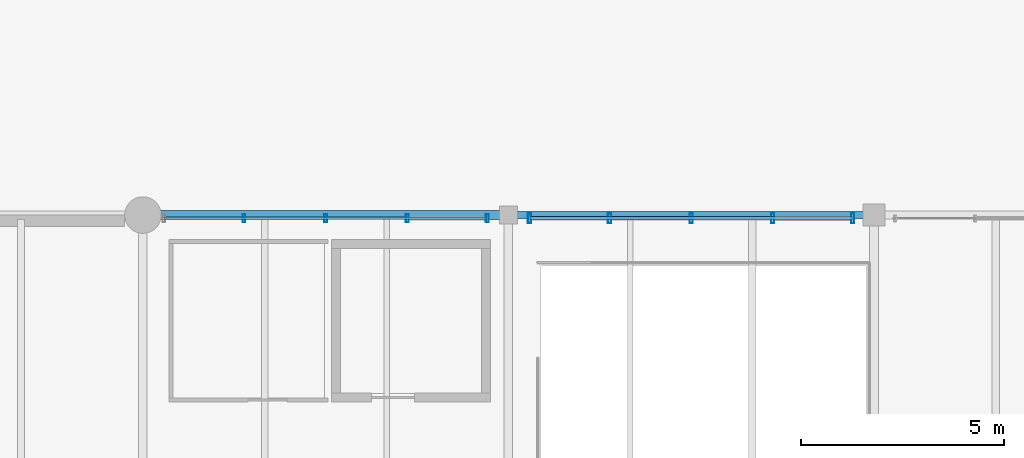
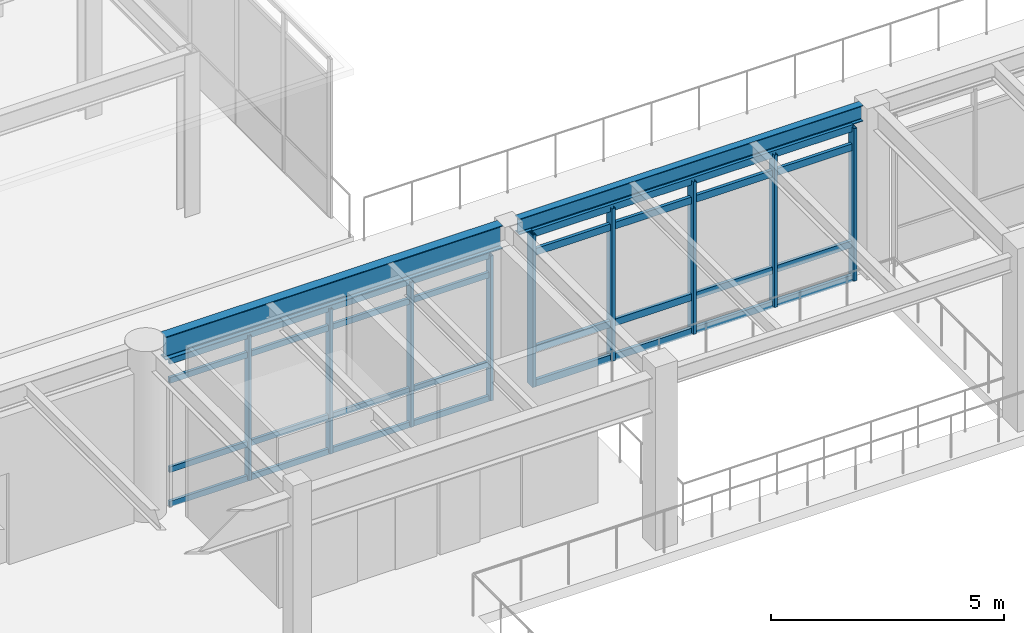
# One storey, part 73 of 200: 17 members, 2 beams, 2 elements without a shape of their own.
"""IFC4 building model written with IfcOpenShell, lengths in metres."""

from ifc_helpers import new_model, si_unit, direction, frame, origin, origin_2d, place, context, subcontext, project, spatial, hollow_rectangle, i_section, extrude, material, material_profile, profile_set, type_object, element, aggregate, save


model = new_model("IFC4")

# Units and contexts
model_context = context("Model", 3, precision=1e-05, world=origin(), true_north=direction((0.0, 1.0)))
body_context = subcontext(model_context, "Body", "Model", "MODEL_VIEW")
ifc_project = project(units=[si_unit("LENGTHUNIT", "METRE"), si_unit("AREAUNIT", "SQUARE_METRE"), si_unit("VOLUMEUNIT", "CUBIC_METRE"), si_unit("PLANEANGLEUNIT", "RADIAN"), si_unit("MASSUNIT", "GRAM", prefix="KILO"), si_unit("THERMODYNAMICTEMPERATUREUNIT", "KELVIN"), si_unit("POWERUNIT", "WATT")], contexts=[model_context])

# Site, building, storey
site_placement = place(None, origin())
site = spatial("IfcSite", under=ifc_project, at=site_placement, CompositionType="ELEMENT")
building_placement = place(site_placement, origin())
building = spatial("IfcBuilding", under=site, at=building_placement, Name="Tepalcoro Natatorium and Aquatics Centre", CompositionType="ELEMENT")
storey_placement = place(building_placement, frame((0.0, 0.0, 5.39990234375)))
storey = spatial("IfcBuildingStorey", under=building, at=storey_placement, Name="L01", CompositionType="ELEMENT", Elevation=5.39990234375)

# Curtain wall, members
ifc_material_1 = material(Name="Bronze-Anodised Extruded Aluminium Alloy EN AW-6063 T6", Category="aluminium")
curtain_wall_type_1 = type_object("IfcCurtainWallType", Name="CW_LEAN_T2_NS", PredefinedType="USERDEFINED", material=ifc_material_1)
curtain_wall_1_placement = place(storey_placement, origin())
curtain_wall_1 = element("IfcCurtainWall", 1, at=curtain_wall_1_placement, inside=storey, type_object=curtain_wall_type_1, Name="V1 L01 N Unitised Curtain Wall Bay 3", ObjectType="FACETED SOLAR GLAZING", PredefinedType="USERDEFINED")
ifc_material_profile_1 = material_profile(ifc_material_1, hollow_rectangle(XDim=0.070068359375, YDim=0.199951171875, WallThickness=0.0048828125, at=origin_2d()), Name="AL70X200X5")
ifc_profile_set_1 = profile_set([ifc_material_profile_1], Name="Bronze-Anodised Extruded Aluminium Alloy EN AW-6063 T6")
member_type_1 = type_object("IfcMemberType", Name="CW_MUL_70x200", PredefinedType="MULLION", material=ifc_profile_set_1)
member_1_placement = place(storey_placement, frame((64.489990234375, 65.419921875, 0.02001953125), z_axis=(0.0, 0.0, 1.0), x_axis=(1.0, 0.0, 0.0)))
member_1 = element("IfcMember", 2, at=member_1_placement, type_object=member_type_1, Name="CW_LEAN_T2_NS Curtain Wall Mullion", PredefinedType="MULLION", context=body_context, shape_type="SweptSolid", body=[
    extrude(hollow_rectangle(XDim=0.070068359375, YDim=0.199951171875, WallThickness=0.0048828125, at=origin_2d()), origin(), (0.0, 0.0, 1.0), 3.798095703125),
])
member_2_placement = place(storey_placement, frame((66.5, 65.419921875, 0.02001953125), z_axis=(0.0, 0.0, 1.0), x_axis=(1.0, 0.0, 0.0)))
member_2 = element("IfcMember", 3, at=member_2_placement, type_object=member_type_1, Name="CW_LEAN_T2_NS Curtain Wall Mullion", PredefinedType="MULLION", context=body_context, shape_type="SweptSolid", body=[
    extrude(hollow_rectangle(XDim=0.070068359375, YDim=0.199951171875, WallThickness=0.0048828125, at=origin_2d()), origin(), (0.0, 0.0, 1.0), 3.798095703125),
])
member_3_placement = place(storey_placement, frame((68.510009765625, 65.419921875, 0.02001953125), z_axis=(0.0, 0.0, 1.0), x_axis=(1.0, 0.0, 0.0)))
member_3 = element("IfcMember", 4, at=member_3_placement, type_object=member_type_1, Name="CW_LEAN_T2_NS Curtain Wall Mullion", PredefinedType="MULLION", context=body_context, shape_type="SweptSolid", body=[
    extrude(hollow_rectangle(XDim=0.070068359375, YDim=0.199951171875, WallThickness=0.0048828125, at=origin_2d()), origin(), (0.0, 0.0, 1.0), 3.798095703125),
])
member_4_placement = place(storey_placement, frame((70.47998046875, 65.419921875, 0.02001953125), z_axis=(0.0, 0.0, 1.0), x_axis=(1.0, 0.0, 0.0)))
member_4 = element("IfcMember", 5, at=member_4_placement, type_object=member_type_1, Name="CW_LEAN_T2_NS Curtain Wall Mullion", PredefinedType="MULLION", context=body_context, shape_type="SweptSolid", body=[
    extrude(hollow_rectangle(XDim=0.070068359375, YDim=0.199951171875, WallThickness=0.0048828125, at=origin_2d()), origin(), (0.0, 0.0, 1.0), 3.798095703125),
])

curtain_wall_type_2 = type_object("IfcCurtainWallType", Name="CW_LEAN_T2_EW", PredefinedType="USERDEFINED", material=ifc_material_1)
curtain_wall_2_placement = place(storey_placement, origin())
curtain_wall_2 = element("IfcCurtainWall", 6, at=curtain_wall_2_placement, inside=storey, type_object=curtain_wall_type_2, Name="V1 L01 N Unitised Curtain Wall Bay 4", ObjectType="FACETED SOLAR GLAZING", PredefinedType="USERDEFINED")
ifc_material_profile_2 = material_profile(ifc_material_1, hollow_rectangle(XDim=0.080078125, YDim=0.239990234375, WallThickness=0.0048828125, at=origin_2d()), Name="AL80X240X5")
ifc_profile_set_2 = profile_set([ifc_material_profile_2], Name="Bronze-Anodised Extruded Aluminium Alloy EN AW-6063 T6")
member_type_2 = type_object("IfcMemberType", Name="CW_MUL_80x240", PredefinedType="MULLION", material=ifc_profile_set_2)
member_5_placement = place(storey_placement, frame((71.52001953125, 65.419921875, 0.02001953125), z_axis=(0.0, 0.0, 1.0), x_axis=(1.0, 0.0, 0.0)))
member_5 = element("IfcMember", 7, at=member_5_placement, type_object=member_type_2, Name="CW_LEAN_T2_EW Curtain Wall Mullion", PredefinedType="MULLION", context=body_context, shape_type="SweptSolid", body=[
    extrude(hollow_rectangle(XDim=0.080078125, YDim=0.239990234375, WallThickness=0.0048828125, at=origin_2d()), origin(), (0.0, 0.0, 1.0), 3.9970703125),
])
member_6_placement = place(storey_placement, frame((73.489990234375, 65.419921875, 0.02001953125), z_axis=(0.0, 0.0, 1.0), x_axis=(1.0, 0.0, 0.0)))
member_6 = element("IfcMember", 8, at=member_6_placement, type_object=member_type_2, Name="CW_LEAN_T2_EW Curtain Wall Mullion", PredefinedType="MULLION", context=body_context, shape_type="SweptSolid", body=[
    extrude(hollow_rectangle(XDim=0.080078125, YDim=0.239990234375, WallThickness=0.0048828125, at=origin_2d()), origin(), (0.0, 0.0, 1.0), 3.9970703125),
])
member_7_placement = place(storey_placement, frame((75.5, 65.419921875, 0.02001953125), z_axis=(0.0, 0.0, 1.0), x_axis=(1.0, 0.0, 0.0)))
member_7 = element("IfcMember", 9, at=member_7_placement, type_object=member_type_2, Name="CW_LEAN_T2_EW Curtain Wall Mullion", PredefinedType="MULLION", context=body_context, shape_type="SweptSolid", body=[
    extrude(hollow_rectangle(XDim=0.080078125, YDim=0.239990234375, WallThickness=0.0048828125, at=origin_2d()), origin(), (0.0, 0.0, 1.0), 3.9970703125),
])
member_8_placement = place(storey_placement, frame((77.510009765625, 65.419921875, 0.02001953125), z_axis=(0.0, 0.0, 1.0), x_axis=(1.0, 0.0, 0.0)))
member_8 = element("IfcMember", 10, at=member_8_placement, type_object=member_type_2, Name="CW_LEAN_T2_EW Curtain Wall Mullion", PredefinedType="MULLION", context=body_context, shape_type="SweptSolid", body=[
    extrude(hollow_rectangle(XDim=0.080078125, YDim=0.239990234375, WallThickness=0.0048828125, at=origin_2d()), origin(), (0.0, 0.0, 1.0), 3.9970703125),
])
member_9_placement = place(storey_placement, frame((79.47998046875, 65.419921875, 0.02001953125), z_axis=(0.0, 0.0, 1.0), x_axis=(1.0, 0.0, 0.0)))
member_9 = element("IfcMember", 11, at=member_9_placement, type_object=member_type_2, Name="CW_LEAN_T2_EW Curtain Wall Mullion", PredefinedType="MULLION", context=body_context, shape_type="SweptSolid", body=[
    extrude(hollow_rectangle(XDim=0.080078125, YDim=0.239990234375, WallThickness=0.0048828125, at=origin_2d()), origin(), (0.0, 0.0, 1.0), 3.9970703125),
])

# Member
ifc_material_profile_3 = material_profile(ifc_material_1, hollow_rectangle(XDim=0.070068359375, YDim=0.14990234375, WallThickness=0.00390625, at=origin_2d()), Name="AL70X150X4")
ifc_profile_set_3 = profile_set([ifc_material_profile_3], Name="Bronze-Anodised Extruded Aluminium Alloy EN AW-6063 T6")
member_type_3 = type_object("IfcMemberType", Name="CW_TRN_70x150", PredefinedType="USERDEFINED", material=ifc_profile_set_3)
member_10_placement = place(storey_placement, frame((62.530029296875, 65.419921875, 0.050048828125), z_axis=(1.0, 0.0, 0.0), x_axis=(0.0, 1.0, 0.0)))
member_10 = element("IfcMember", 12, at=member_10_placement, type_object=member_type_3, Name="CW_LEAN_T2_NS Curtain Wall Transom", ObjectType="TRANSOM", PredefinedType="USERDEFINED", context=body_context, shape_type="SweptSolid", body=[
    extrude(hollow_rectangle(XDim=0.070068359375, YDim=0.14990234375, WallThickness=0.00390625, at=origin_2d()), origin(), (0.0, 0.0, 1.0), 7.93994140625),
])

member_11_placement = place(storey_placement, frame((62.530029296875, 65.419921875, 0.9501953125), z_axis=(1.0, 0.0, 0.0), x_axis=(0.0, 1.0, 0.0)))
member_11 = element("IfcMember", 13, at=member_11_placement, type_object=member_type_3, Name="CW_LEAN_T2_NS Curtain Wall Transom", ObjectType="TRANSOM", PredefinedType="USERDEFINED", context=body_context, shape_type="SweptSolid", body=[
    extrude(hollow_rectangle(XDim=0.070068359375, YDim=0.14990234375, WallThickness=0.00390625, at=origin_2d()), origin(), (0.0, 0.0, 1.0), 7.93994140625),
])

member_12_placement = place(storey_placement, frame((62.530029296875, 65.419921875, 3.2880859375), z_axis=(1.0, 0.0, 0.0), x_axis=(0.0, 1.0, 0.0)))
member_12 = element("IfcMember", 14, at=member_12_placement, type_object=member_type_3, Name="CW_LEAN_T2_NS Curtain Wall Transom", ObjectType="TRANSOM", PredefinedType="USERDEFINED", context=body_context, shape_type="SweptSolid", body=[
    extrude(hollow_rectangle(XDim=0.070068359375, YDim=0.14990234375, WallThickness=0.00390625, at=origin_2d()), origin(), (0.0, 0.0, 1.0), 7.93994140625),
])

member_13_placement = place(storey_placement, frame((62.530029296875, 65.419921875, 3.7880859375), z_axis=(1.0, 0.0, 0.0), x_axis=(0.0, 1.0, 0.0)))
member_13 = element("IfcMember", 15, at=member_13_placement, type_object=member_type_3, Name="CW_LEAN_T2_NS Curtain Wall Transom", ObjectType="TRANSOM", PredefinedType="USERDEFINED", context=body_context, shape_type="SweptSolid", body=[
    extrude(hollow_rectangle(XDim=0.070068359375, YDim=0.14990234375, WallThickness=0.00390625, at=origin_2d()), origin(), (0.0, 0.0, 1.0), 7.93994140625),
])

aggregate(curtain_wall_1, [member_1, member_2, member_3, member_4, member_10, member_11, member_12, member_13])

ifc_material_profile_4 = material_profile(ifc_material_1, hollow_rectangle(XDim=0.080078125, YDim=0.179931640625, WallThickness=0.0048828125, at=origin_2d()), Name="AL80X180X5")
ifc_profile_set_4 = profile_set([ifc_material_profile_4], Name="Bronze-Anodised Extruded Aluminium Alloy EN AW-6063 T6")
member_type_4 = type_object("IfcMemberType", Name="CW_TRN_80x180", PredefinedType="USERDEFINED", material=ifc_profile_set_4)
member_14_placement = place(storey_placement, frame((71.530029296875, 65.419921875, 0.050048828125), z_axis=(1.0, 0.0, 0.0), x_axis=(0.0, 1.0, 0.0)))
member_14 = element("IfcMember", 16, at=member_14_placement, type_object=member_type_4, Name="CW_LEAN_T2_EW Curtain Wall Transom", ObjectType="TRANSOM", PredefinedType="USERDEFINED", context=body_context, shape_type="SweptSolid", body=[
    extrude(hollow_rectangle(XDim=0.080078125, YDim=0.179931640625, WallThickness=0.0048828125, at=origin_2d()), origin(), (0.0, 0.0, 1.0), 7.93994140625),
])

member_15_placement = place(storey_placement, frame((71.530029296875, 65.419921875, 0.9501953125), z_axis=(1.0, 0.0, 0.0), x_axis=(0.0, 1.0, 0.0)))
member_15 = element("IfcMember", 17, at=member_15_placement, type_object=member_type_4, Name="CW_LEAN_T2_EW Curtain Wall Transom", ObjectType="TRANSOM", PredefinedType="USERDEFINED", context=body_context, shape_type="SweptSolid", body=[
    extrude(hollow_rectangle(XDim=0.080078125, YDim=0.179931640625, WallThickness=0.0048828125, at=origin_2d()), origin(), (0.0, 0.0, 1.0), 7.93994140625),
])

member_16_placement = place(storey_placement, frame((71.530029296875, 65.419921875, 3.487060546875), z_axis=(1.0, 0.0, 0.0), x_axis=(0.0, 1.0, 0.0)))
member_16 = element("IfcMember", 18, at=member_16_placement, type_object=member_type_4, Name="CW_LEAN_T2_EW Curtain Wall Transom", ObjectType="TRANSOM", PredefinedType="USERDEFINED", context=body_context, shape_type="SweptSolid", body=[
    extrude(hollow_rectangle(XDim=0.080078125, YDim=0.179931640625, WallThickness=0.0048828125, at=origin_2d()), origin(), (0.0, 0.0, 1.0), 7.93994140625),
])

member_17_placement = place(storey_placement, frame((71.530029296875, 65.419921875, 3.987060546875), z_axis=(1.0, 0.0, 0.0), x_axis=(0.0, 1.0, 0.0)))
member_17 = element("IfcMember", 19, at=member_17_placement, type_object=member_type_4, Name="CW_LEAN_T2_EW Curtain Wall Transom", ObjectType="TRANSOM", PredefinedType="USERDEFINED", context=body_context, shape_type="SweptSolid", body=[
    extrude(hollow_rectangle(XDim=0.080078125, YDim=0.179931640625, WallThickness=0.0048828125, at=origin_2d()), origin(), (0.0, 0.0, 1.0), 7.93994140625),
])

aggregate(curtain_wall_2, [member_5, member_6, member_7, member_8, member_9, member_14, member_15, member_16, member_17])

# Beams
ifc_material_2 = material(Name="Steel ASTM A992 Grade 50 (Fy 345 MPa)", Category="steel")
ifc_material_profile_5 = material_profile(ifc_material_2, i_section(OverallWidth=0.179931640625, OverallDepth=0.4130859375, WebThickness=0.010009765625, FlangeThickness=0.01611328125, FilletRadius=0.013916015625, at=origin_2d()), Name="W16X50")
ifc_profile_set_5 = profile_set([ifc_material_profile_5], Name="Steel ASTM A992 Grade 50 (Fy 345 MPa)")
beam_type_1 = type_object("IfcBeamType", Name="SP_HSS300x200x12", PredefinedType="SPANDREL", material=ifc_profile_set_5)
beam_1_placement = place(storey_placement, frame((71.2099609375, 65.5, 4.258544921875), z_axis=(1.0, 0.0, 0.0), x_axis=(0.0, 1.0, 0.0)))
element("IfcBeam", 20, at=beam_1_placement, inside=storey, type_object=beam_type_1, Name="V1 L01 Grid Girder X", PredefinedType="SPANDREL", context=body_context, shape_type="SweptSolid", body=[
    extrude(i_section(OverallWidth=0.179931640625, OverallDepth=0.4130859375, WebThickness=0.010009765625, FlangeThickness=0.01611328125, FilletRadius=0.013916015625, at=origin_2d()), origin(), (0.0, 0.0, 1.0), 8.530029296875),
])
ifc_material_profile_6 = material_profile(ifc_material_2, i_section(OverallWidth=0.22900390625, OverallDepth=0.612060546875, WebThickness=0.011962890625, FlangeThickness=0.02001953125, FilletRadius=0.013916015625, at=origin_2d()), Name="W24X84")
ifc_profile_set_6 = profile_set([ifc_material_profile_6], Name="Steel ASTM A992 Grade 50 (Fy 345 MPa)")
beam_type_2 = type_object("IfcBeamType", Name="SP_W24x84", PredefinedType="SPANDREL", material=ifc_profile_set_6)
beam_2_placement = place(storey_placement, frame((62.43505859375, 65.5, 4.1591796875), z_axis=(1.0, 0.0, 0.0), x_axis=(0.0, 1.0, 0.0)))
element("IfcBeam", 21, at=beam_2_placement, inside=storey, type_object=beam_type_2, Name="V1 L01 Grid Girder X", PredefinedType="SPANDREL", context=body_context, shape_type="SweptSolid", body=[
    extrude(i_section(OverallWidth=0.22900390625, OverallDepth=0.612060546875, WebThickness=0.011962890625, FlangeThickness=0.02001953125, FilletRadius=0.013916015625, at=origin_2d()), origin(), (0.0, 0.0, 1.0), 8.35498046875),
])

save(model, "model.ifc")
